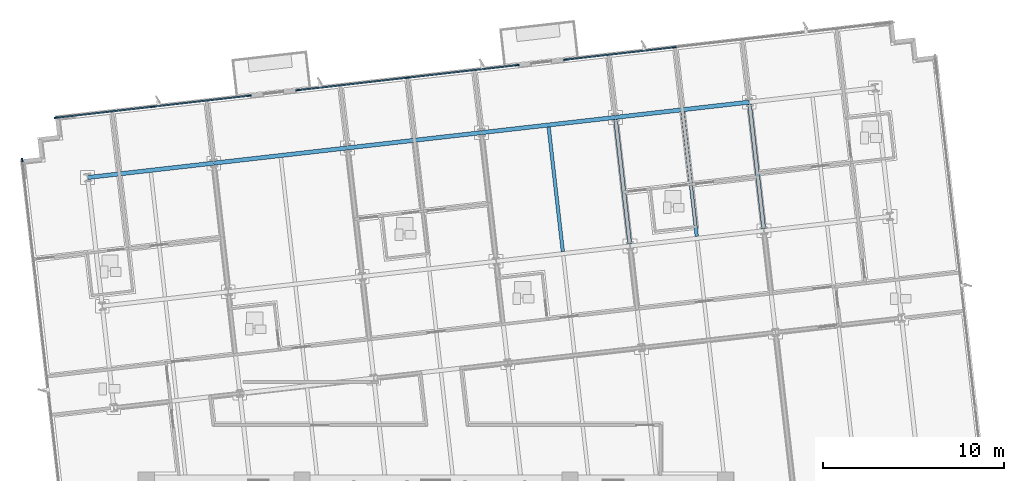
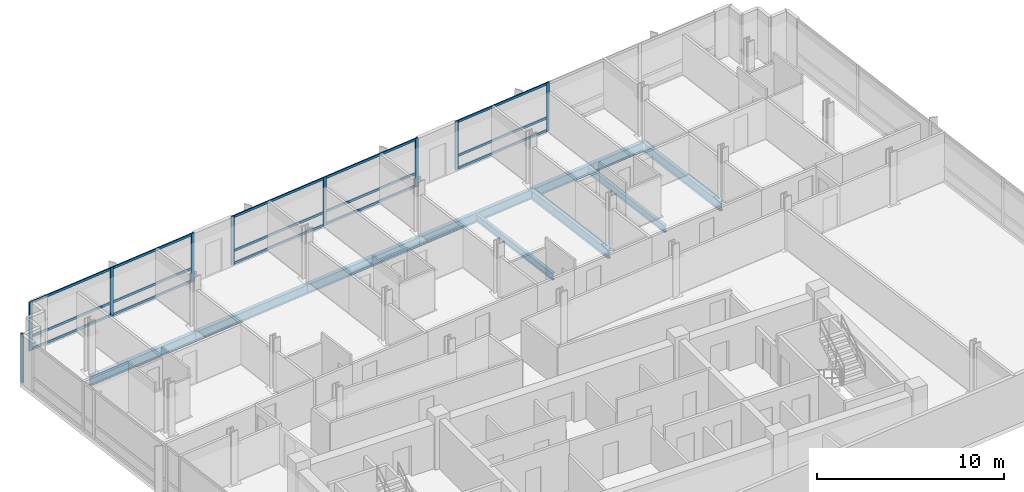
# One storey, part 5 of 17: 24 members, 9 beams, 4 elements without a shape of their own.
"""IFC4 building model written with IfcOpenShell, lengths in metres."""

from ifc_helpers import new_model, si_unit, direction, frame, origin, origin_2d, place, context, subcontext, project, spatial, rectangle, i_section, extrude, material, material_profile, profile_set, type_object, element, aggregate, save


model = new_model("IFC4")

# Units and contexts
model_context = context("Model", 3, precision=1e-05, world=origin(), true_north=direction((0.0, 1.0)))
body_context = subcontext(model_context, "Body", "Model", "MODEL_VIEW")
ifc_project = project(units=[si_unit("LENGTHUNIT", "METRE"), si_unit("AREAUNIT", "SQUARE_METRE"), si_unit("VOLUMEUNIT", "CUBIC_METRE"), si_unit("PLANEANGLEUNIT", "RADIAN"), si_unit("MASSUNIT", "GRAM", prefix="KILO")], contexts=[model_context])

# Site, building, storey
site_placement = place(None, origin())
site = spatial("IfcSite", under=ifc_project, at=site_placement, CompositionType="ELEMENT")
building_placement = place(site_placement, origin())
building = spatial("IfcBuilding", under=site, at=building_placement, Name="Solmavex Isthmus Hotel", CompositionType="ELEMENT")
storey_placement = place(building_placement, frame((0.0, 0.0, 195.14990234375)))
storey = spatial("IfcBuildingStorey", under=building, at=storey_placement, Name="L52", CompositionType="ELEMENT", Elevation=195.14990234375)

# Beams
ifc_material_1 = material(Name="Steel ASTM A992 Grade 50", Category="steel")
ifc_material_profile_1 = material_profile(ifc_material_1, i_section(OverallWidth=0.1904296875, OverallDepth=0.456787109375, WebThickness=0.009033203125, FlangeThickness=0.014404296875, FilletRadius=0.0126953125, at=origin_2d()), Name="W18X50")
ifc_profile_set_1 = profile_set([ifc_material_profile_1], Name="Steel ASTM A992 Grade 50")
beam_type_1 = type_object("IfcBeamType", Name="BM-BJ-W18X50", PredefinedType="JOIST", material=ifc_profile_set_1)
for number, where, z_axis, x_axis, name in (
    (1, (7.009033203125, 10.1328125, -0.48828125), (-0.113202453846, 0.993571942258, 0.0), (-0.993571942258, -0.113202453846, 0.0), "Secondary Floor Joist L52-J14"),
    (2, (14.4072265625, 10.975830078125, -0.48828125), (-0.113202453846, 0.993571942258, 0.0), (-0.993571942258, -0.113202453846, 0.0), "Secondary Floor Joist L52-J18"),
):
    element("IfcBeam", number, at=place(storey_placement, frame(where, z_axis=z_axis, x_axis=x_axis)), inside=storey, type_object=beam_type_1, Name=name, PredefinedType="JOIST", context=body_context, shape_type="SweptSolid", body=[
        extrude(i_section(OverallWidth=0.1904296875, OverallDepth=0.456787109375, WebThickness=0.009033203125, FlangeThickness=0.014404296875, FilletRadius=0.0126953125, at=origin_2d()), origin(), (0.0, 0.0, 1.0), 6.9228515625),
    ])
ifc_material_profile_2 = material_profile(ifc_material_1, i_section(OverallWidth=0.227783203125, OverallDepth=0.602783203125, WebThickness=0.010498046875, FlangeThickness=0.014892578125, FilletRadius=0.01513671875, at=origin_2d()), Name="W24X68")
ifc_profile_set_2 = profile_set([ifc_material_profile_2], Name="Steel ASTM A992 Grade 50")
beam_type_2 = type_object("IfcBeamType", Name="BM-BM-W24X68", PredefinedType="BEAM", material=ifc_profile_set_2)
for number, where, z_axis, x_axis, name in (
    (3, (10.708251953125, 10.55419921875, -0.561279296875), (-0.113202453846, 0.993571942258, 0.0), (-0.993571942258, -0.113202453846, 0.0), "Floor Beam L52-VG39"),
    (4, (18.106201171875, 11.397216796875, -0.561279296875), (-0.113202453846, 0.993571942258, 0.0), (-0.993571942258, -0.113202453846, 0.0), "Floor Beam L52-VG42"),
):
    element("IfcBeam", number, at=place(storey_placement, frame(where, z_axis=z_axis, x_axis=x_axis)), inside=storey, type_object=beam_type_2, Name=name, PredefinedType="BEAM", context=body_context, shape_type="SweptSolid", body=[
        extrude(i_section(OverallWidth=0.227783203125, OverallDepth=0.602783203125, WebThickness=0.010498046875, FlangeThickness=0.014892578125, FilletRadius=0.01513671875, at=origin_2d()), origin(), (0.0, 0.0, 1.0), 6.9228515625),
    ])
ifc_material_profile_3 = material_profile(ifc_material_1, i_section(OverallWidth=0.230224609375, OverallDepth=0.617431640625, WebThickness=0.01318359375, FlangeThickness=0.022216796875, FilletRadius=0.01513671875, at=origin_2d()), Name="W24X94")
ifc_profile_set_3 = profile_set([ifc_material_profile_3], Name="Steel ASTM A992 Grade 50")
beam_type_3 = type_object("IfcBeamType", Name="BM-SP-W24X94", PredefinedType="SPANDREL", material=ifc_profile_set_3)
beam_1_placement = place(storey_placement, frame((-19.245849609375, 14.22509765625, -0.568603515625), z_axis=(0.99357359356, 0.113187959519, 0.0), x_axis=(-0.113187959519, 0.99357359356, 0.0)))
element("IfcBeam", 5, at=beam_1_placement, inside=storey, type_object=beam_type_3, Name="Floor Girder L52-UG18", PredefinedType="SPANDREL", context=body_context, shape_type="SweptSolid", body=[
    extrude(i_section(OverallWidth=0.230224609375, OverallDepth=0.617431640625, WebThickness=0.01318359375, FlangeThickness=0.022216796875, FilletRadius=0.01513671875, at=origin_2d()), origin(), (0.0, 0.0, 1.0), 7.0078125),
])
beam_2_placement = place(storey_placement, frame((-12.282958984375, 15.018310546875, -0.568603515625), z_axis=(0.9935703463, 0.113216460607, 0.0), x_axis=(-0.113216460607, 0.9935703463, 0.0)))
element("IfcBeam", 6, at=beam_2_placement, inside=storey, type_object=beam_type_3, Name="Floor Girder L52-UG19", PredefinedType="SPANDREL", context=body_context, shape_type="SweptSolid", body=[
    extrude(i_section(OverallWidth=0.230224609375, OverallDepth=0.617431640625, WebThickness=0.01318359375, FlangeThickness=0.022216796875, FilletRadius=0.01513671875, at=origin_2d()), origin(), (0.0, 0.0, 1.0), 7.446044921875),
])
beam_3_placement = place(storey_placement, frame((-4.884765625, 15.861328125, -0.568603515625), z_axis=(0.993573613989, 0.113187780196, 0.0), x_axis=(-0.113187780196, 0.993573613989, 0.0)))
element("IfcBeam", 7, at=beam_3_placement, inside=storey, type_object=beam_type_3, Name="Floor Girder L52-UG20", PredefinedType="SPANDREL", context=body_context, shape_type="SweptSolid", body=[
    extrude(i_section(OverallWidth=0.230224609375, OverallDepth=0.617431640625, WebThickness=0.01318359375, FlangeThickness=0.022216796875, FilletRadius=0.01513671875, at=origin_2d()), origin(), (0.0, 0.0, 1.0), 7.44580078125),
])
for number, where, z_axis, x_axis, name in (
    (8, (2.51318359375, 16.7041015625, -0.568603515625), (0.9935703463, 0.113216460607, 0.0), (-0.113216460607, 0.9935703463, 0.0), "Floor Girder L52-UG21"),
    (9, (9.911376953125, 17.547119140625, -0.568603515625), (0.9935703463, 0.113216460607, 0.0), (-0.113216460607, 0.9935703463, 0.0), "Floor Girder L52-UG22"),
):
    element("IfcBeam", number, at=place(storey_placement, frame(where, z_axis=z_axis, x_axis=x_axis)), inside=storey, type_object=beam_type_3, Name=name, PredefinedType="SPANDREL", context=body_context, shape_type="SweptSolid", body=[
        extrude(i_section(OverallWidth=0.230224609375, OverallDepth=0.617431640625, WebThickness=0.01318359375, FlangeThickness=0.022216796875, FilletRadius=0.01513671875, at=origin_2d()), origin(), (0.0, 0.0, 1.0), 7.446044921875),
    ])

# Curtain wall, members
ifc_material_2 = material(Name="Aluminium alloy 6063-T6", Category="aluminium")
curtain_wall_type = type_object("IfcCurtainWallType", Name="CW-SYS-04", PredefinedType="NOTDEFINED", material=ifc_material_2)
curtain_wall_1_placement = place(storey_placement, origin())
curtain_wall_1 = element("IfcCurtainWall", 10, at=curtain_wall_1_placement, inside=storey, type_object=curtain_wall_type, Name="Stick Curtain Wall CWL-L52-N1", PredefinedType="NOTDEFINED")
ifc_material_profile_4 = material_profile(ifc_material_2, rectangle(XDim=0.074951171875, YDim=0.199951171875, at=origin_2d()), Name="CWM-75X200")
ifc_profile_set_4 = profile_set([ifc_material_profile_4], Name="Aluminium alloy 6063-T6")
member_type_1 = type_object("IfcMemberType", Name="CW-SYS-04-MUL", PredefinedType="MULLION", material=ifc_profile_set_4)
member_1_placement = place(storey_placement, frame((-20.99365234375, 17.528564453125, 0.0), z_axis=(0.0, 0.0, 1.0), x_axis=(-0.113202814871, 0.993571901125, 0.0)))
member_1 = element("IfcMember", 11, at=member_1_placement, type_object=member_type_1, Name="CW-04 mullion 1", PredefinedType="MULLION", context=body_context, shape_type="SweptSolid", body=[
    extrude(rectangle(XDim=0.074951171875, YDim=0.199951171875, at=origin_2d()), origin(), (0.0, 0.0, 1.0), 3.190185546875),
])
member_2_placement = place(storey_placement, frame((-15.650146484375, 18.13720703125, 0.0), z_axis=(0.0, 0.0, 1.0), x_axis=(-0.113202814871, 0.993571901125, 0.0)))
member_2 = element("IfcMember", 12, at=member_2_placement, type_object=member_type_1, Name="CW-04 mullion 2", PredefinedType="MULLION", context=body_context, shape_type="SweptSolid", body=[
    extrude(rectangle(XDim=0.074951171875, YDim=0.199951171875, at=origin_2d()), origin(), (0.0, 0.0, 1.0), 3.190185546875),
])
member_3_placement = place(storey_placement, frame((-10.306884765625, 18.74609375, 0.0), z_axis=(0.0, 0.0, 1.0), x_axis=(-0.113202814871, 0.993571901125, 0.0)))
member_3 = element("IfcMember", 13, at=member_3_placement, type_object=member_type_1, Name="CW-04 mullion 3", PredefinedType="MULLION", context=body_context, shape_type="SweptSolid", body=[
    extrude(rectangle(XDim=0.074951171875, YDim=0.199951171875, at=origin_2d()), origin(), (0.0, 0.0, 1.0), 3.190185546875),
])

curtain_wall_2_placement = place(storey_placement, origin())
curtain_wall_2 = element("IfcCurtainWall", 14, at=curtain_wall_2_placement, inside=storey, type_object=curtain_wall_type, Name="Stick Curtain Wall CWL-L52-N2", PredefinedType="NOTDEFINED")
member_4_placement = place(storey_placement, frame((-7.64892578125, 19.048828125, 0.0), z_axis=(0.0, 0.0, 1.0), x_axis=(-0.113202856801, 0.993571896348, 0.0)))
member_4 = element("IfcMember", 15, at=member_4_placement, type_object=member_type_1, Name="CW-04 mullion 1", PredefinedType="MULLION", context=body_context, shape_type="SweptSolid", body=[
    extrude(rectangle(XDim=0.074951171875, YDim=0.199951171875, at=origin_2d()), origin(), (0.0, 0.0, 1.0), 3.190185546875),
])
member_5_placement = place(storey_placement, frame((-1.579833984375, 19.740478515625, 0.0), z_axis=(0.0, 0.0, 1.0), x_axis=(-0.113202856801, 0.993571896348, 0.0)))
member_5 = element("IfcMember", 16, at=member_5_placement, type_object=member_type_1, Name="CW-04 mullion 2", PredefinedType="MULLION", context=body_context, shape_type="SweptSolid", body=[
    extrude(rectangle(XDim=0.074951171875, YDim=0.199951171875, at=origin_2d()), origin(), (0.0, 0.0, 1.0), 3.190185546875),
])
member_6_placement = place(storey_placement, frame((4.489501953125, 20.431884765625, 0.0), z_axis=(0.0, 0.0, 1.0), x_axis=(-0.113202856801, 0.993571896348, 0.0)))
member_6 = element("IfcMember", 17, at=member_6_placement, type_object=member_type_1, Name="CW-04 mullion 3", PredefinedType="MULLION", context=body_context, shape_type="SweptSolid", body=[
    extrude(rectangle(XDim=0.074951171875, YDim=0.199951171875, at=origin_2d()), origin(), (0.0, 0.0, 1.0), 3.190185546875),
])

curtain_wall_3_placement = place(storey_placement, origin())
curtain_wall_3 = element("IfcCurtainWall", 18, at=curtain_wall_3_placement, inside=storey, type_object=curtain_wall_type, Name="Stick Curtain Wall CWL-L52-N3", PredefinedType="NOTDEFINED")
member_7_placement = place(storey_placement, frame((7.147216796875, 20.734619140625, 0.0), z_axis=(0.0, 0.0, 1.0), x_axis=(-0.113203493636, 0.99357182379, 0.0)))
member_7 = element("IfcMember", 19, at=member_7_placement, type_object=member_type_1, Name="CW-04 mullion 1", PredefinedType="MULLION", context=body_context, shape_type="SweptSolid", body=[
    extrude(rectangle(XDim=0.074951171875, YDim=0.199951171875, at=origin_2d()), origin(), (0.0, 0.0, 1.0), 3.190185546875),
])
member_8_placement = place(storey_placement, frame((13.163330078125, 21.420166015625, 0.0), z_axis=(0.0, 0.0, 1.0), x_axis=(-0.113203493636, 0.99357182379, 0.0)))
member_8 = element("IfcMember", 20, at=member_8_placement, type_object=member_type_1, Name="CW-04 mullion 2", PredefinedType="MULLION", context=body_context, shape_type="SweptSolid", body=[
    extrude(rectangle(XDim=0.074951171875, YDim=0.199951171875, at=origin_2d()), origin(), (0.0, 0.0, 1.0), 3.190185546875),
])

# Curtain wall, member
curtain_wall_4_placement = place(storey_placement, origin())
curtain_wall_4 = element("IfcCurtainWall", 21, at=curtain_wall_4_placement, inside=storey, type_object=curtain_wall_type, Name="Stick Curtain Wall CWL-L52-W1", PredefinedType="NOTDEFINED")
member_9_placement = place(storey_placement, frame((-22.85791015625, 15.184814453125, 0.0), z_axis=(0.0, 0.0, 1.0), x_axis=(-0.993571836648, -0.11320338078, 0.0)))
member_9 = element("IfcMember", 22, at=member_9_placement, type_object=member_type_1, Name="CW-04 mullion 6", PredefinedType="MULLION", context=body_context, shape_type="SweptSolid", body=[
    extrude(rectangle(XDim=0.074951171875, YDim=0.199951171875, at=origin_2d()), origin(), (0.0, 0.0, 1.0), 3.190185546875),
])
aggregate(curtain_wall_4, [member_9])

# Member
ifc_material_profile_5 = material_profile(ifc_material_2, rectangle(XDim=0.074951171875, YDim=0.14990234375, at=origin_2d()), Name="CWT-75X150")
ifc_profile_set_5 = profile_set([ifc_material_profile_5], Name="Aluminium alloy 6063-T6")
member_type_2 = type_object("IfcMemberType", Name="CW-SYS-04-TRN", PredefinedType="USERDEFINED", material=ifc_profile_set_5)
member_10_placement = place(storey_placement, frame((-20.956298828125, 17.53271484375, 0.0751953125), z_axis=(0.993571049718, 0.113210287348, 0.0), x_axis=(-0.113210287348, 0.993571049718, 0.0)))
member_10 = element("IfcMember", 23, at=member_10_placement, type_object=member_type_2, Name="CW-04 transom 1.1", ObjectType="TRANSOM", PredefinedType="USERDEFINED", context=body_context, shape_type="SweptSolid", body=[
    extrude(rectangle(XDim=0.074951171875, YDim=0.14990234375, at=origin_2d()), origin(), (0.0, 0.0, 1.0), 5.302978515625),
])

member_11_placement = place(storey_placement, frame((-20.956298828125, 17.53271484375, 0.900146484375), z_axis=(0.993571049718, 0.113210287348, 0.0), x_axis=(-0.113210287348, 0.993571049718, 0.0)))
member_11 = element("IfcMember", 24, at=member_11_placement, type_object=member_type_2, Name="CW-04 transom 1.2", ObjectType="TRANSOM", PredefinedType="USERDEFINED", context=body_context, shape_type="SweptSolid", body=[
    extrude(rectangle(XDim=0.074951171875, YDim=0.14990234375, at=origin_2d()), origin(), (0.0, 0.0, 1.0), 5.302978515625),
])

member_12_placement = place(storey_placement, frame((-20.956298828125, 17.53271484375, 3.114990234375), z_axis=(0.993571049718, 0.113210287348, 0.0), x_axis=(-0.113210287348, 0.993571049718, 0.0)))
member_12 = element("IfcMember", 25, at=member_12_placement, type_object=member_type_2, Name="CW-04 transom 1.3", ObjectType="TRANSOM", PredefinedType="USERDEFINED", context=body_context, shape_type="SweptSolid", body=[
    extrude(rectangle(XDim=0.074951171875, YDim=0.14990234375, at=origin_2d()), origin(), (0.0, 0.0, 1.0), 5.302978515625),
])

member_13_placement = place(storey_placement, frame((-15.613037109375, 18.1416015625, 0.0751953125), z_axis=(0.993571639742, 0.113205108986, 0.0), x_axis=(-0.113205108986, 0.993571639742, 0.0)))
member_13 = element("IfcMember", 26, at=member_13_placement, type_object=member_type_2, Name="CW-04 transom 2.1", ObjectType="TRANSOM", PredefinedType="USERDEFINED", context=body_context, shape_type="SweptSolid", body=[
    extrude(rectangle(XDim=0.074951171875, YDim=0.14990234375, at=origin_2d()), origin(), (0.0, 0.0, 1.0), 5.30322265625),
])

member_14_placement = place(storey_placement, frame((-15.613037109375, 18.1416015625, 0.900146484375), z_axis=(0.993571639742, 0.113205108986, 0.0), x_axis=(-0.113205108986, 0.993571639742, 0.0)))
member_14 = element("IfcMember", 27, at=member_14_placement, type_object=member_type_2, Name="CW-04 transom 2.2", ObjectType="TRANSOM", PredefinedType="USERDEFINED", context=body_context, shape_type="SweptSolid", body=[
    extrude(rectangle(XDim=0.074951171875, YDim=0.14990234375, at=origin_2d()), origin(), (0.0, 0.0, 1.0), 5.30322265625),
])

member_15_placement = place(storey_placement, frame((-15.613037109375, 18.1416015625, 3.114990234375), z_axis=(0.993571639742, 0.113205108986, 0.0), x_axis=(-0.113205108986, 0.993571639742, 0.0)))
member_15 = element("IfcMember", 28, at=member_15_placement, type_object=member_type_2, Name="CW-04 transom 2.3", ObjectType="TRANSOM", PredefinedType="USERDEFINED", context=body_context, shape_type="SweptSolid", body=[
    extrude(rectangle(XDim=0.074951171875, YDim=0.14990234375, at=origin_2d()), origin(), (0.0, 0.0, 1.0), 5.30322265625),
])

aggregate(curtain_wall_1, [member_1, member_2, member_3, member_10, member_11, member_12, member_13, member_14, member_15])

member_16_placement = place(storey_placement, frame((-7.61181640625, 19.05322265625, 0.0751953125), z_axis=(0.993574990392, 0.113175697338, 0.0), x_axis=(-0.113175697338, 0.993574990392, 0.0)))
member_16 = element("IfcMember", 29, at=member_16_placement, type_object=member_type_2, Name="CW-04 transom 1.1", ObjectType="TRANSOM", PredefinedType="USERDEFINED", context=body_context, shape_type="SweptSolid", body=[
    extrude(rectangle(XDim=0.074951171875, YDim=0.14990234375, at=origin_2d()), origin(), (0.0, 0.0, 1.0), 6.03369140625),
])

member_17_placement = place(storey_placement, frame((-7.61181640625, 19.05322265625, 0.900146484375), z_axis=(0.993574990392, 0.113175697338, 0.0), x_axis=(-0.113175697338, 0.993574990392, 0.0)))
member_17 = element("IfcMember", 30, at=member_17_placement, type_object=member_type_2, Name="CW-04 transom 1.2", ObjectType="TRANSOM", PredefinedType="USERDEFINED", context=body_context, shape_type="SweptSolid", body=[
    extrude(rectangle(XDim=0.074951171875, YDim=0.14990234375, at=origin_2d()), origin(), (0.0, 0.0, 1.0), 6.03369140625),
])

member_18_placement = place(storey_placement, frame((-7.61181640625, 19.05322265625, 3.114990234375), z_axis=(0.993574990392, 0.113175697338, 0.0), x_axis=(-0.113175697338, 0.993574990392, 0.0)))
member_18 = element("IfcMember", 31, at=member_18_placement, type_object=member_type_2, Name="CW-04 transom 1.3", ObjectType="TRANSOM", PredefinedType="USERDEFINED", context=body_context, shape_type="SweptSolid", body=[
    extrude(rectangle(XDim=0.074951171875, YDim=0.14990234375, at=origin_2d()), origin(), (0.0, 0.0, 1.0), 6.03369140625),
])

member_19_placement = place(storey_placement, frame((-1.54248046875, 19.74462890625, 0.0751953125), z_axis=(0.993569920899, 0.113220193804, 0.0), x_axis=(-0.113220193804, 0.993569920899, 0.0)))
member_19 = element("IfcMember", 32, at=member_19_placement, type_object=member_type_2, Name="CW-04 transom 2.1", ObjectType="TRANSOM", PredefinedType="USERDEFINED", context=body_context, shape_type="SweptSolid", body=[
    extrude(rectangle(XDim=0.074951171875, YDim=0.14990234375, at=origin_2d()), origin(), (0.0, 0.0, 1.0), 6.033447265625),
])

member_20_placement = place(storey_placement, frame((-1.54248046875, 19.74462890625, 0.900146484375), z_axis=(0.993569920899, 0.113220193804, 0.0), x_axis=(-0.113220193804, 0.993569920899, 0.0)))
member_20 = element("IfcMember", 33, at=member_20_placement, type_object=member_type_2, Name="CW-04 transom 2.2", ObjectType="TRANSOM", PredefinedType="USERDEFINED", context=body_context, shape_type="SweptSolid", body=[
    extrude(rectangle(XDim=0.074951171875, YDim=0.14990234375, at=origin_2d()), origin(), (0.0, 0.0, 1.0), 6.033447265625),
])

member_21_placement = place(storey_placement, frame((-1.54248046875, 19.74462890625, 3.114990234375), z_axis=(0.993569920899, 0.113220193804, 0.0), x_axis=(-0.113220193804, 0.993569920899, 0.0)))
member_21 = element("IfcMember", 34, at=member_21_placement, type_object=member_type_2, Name="CW-04 transom 2.3", ObjectType="TRANSOM", PredefinedType="USERDEFINED", context=body_context, shape_type="SweptSolid", body=[
    extrude(rectangle(XDim=0.074951171875, YDim=0.14990234375, at=origin_2d()), origin(), (0.0, 0.0, 1.0), 6.033447265625),
])

aggregate(curtain_wall_2, [member_4, member_5, member_6, member_16, member_17, member_18, member_19, member_20, member_21])

member_22_placement = place(storey_placement, frame((7.1845703125, 20.739013671875, 0.0751953125), z_axis=(0.993570647741, 0.113213815179, 0.0), x_axis=(-0.113213815179, 0.993570647741, 0.0)))
member_22 = element("IfcMember", 35, at=member_22_placement, type_object=member_type_2, Name="CW-04 transom 1.1", ObjectType="TRANSOM", PredefinedType="USERDEFINED", context=body_context, shape_type="SweptSolid", body=[
    extrude(rectangle(XDim=0.074951171875, YDim=0.14990234375, at=origin_2d()), origin(), (0.0, 0.0, 1.0), 5.979736328125),
])

member_23_placement = place(storey_placement, frame((7.1845703125, 20.739013671875, 0.900146484375), z_axis=(0.993570647741, 0.113213815179, 0.0), x_axis=(-0.113213815179, 0.993570647741, 0.0)))
member_23 = element("IfcMember", 36, at=member_23_placement, type_object=member_type_2, Name="CW-04 transom 1.2", ObjectType="TRANSOM", PredefinedType="USERDEFINED", context=body_context, shape_type="SweptSolid", body=[
    extrude(rectangle(XDim=0.074951171875, YDim=0.14990234375, at=origin_2d()), origin(), (0.0, 0.0, 1.0), 5.979736328125),
])

member_24_placement = place(storey_placement, frame((7.1845703125, 20.739013671875, 3.114990234375), z_axis=(0.993570647741, 0.113213815179, 0.0), x_axis=(-0.113213815179, 0.993570647741, 0.0)))
member_24 = element("IfcMember", 37, at=member_24_placement, type_object=member_type_2, Name="CW-04 transom 1.3", ObjectType="TRANSOM", PredefinedType="USERDEFINED", context=body_context, shape_type="SweptSolid", body=[
    extrude(rectangle(XDim=0.074951171875, YDim=0.14990234375, at=origin_2d()), origin(), (0.0, 0.0, 1.0), 5.979736328125),
])

aggregate(curtain_wall_3, [member_7, member_8, member_22, member_23, member_24])

save(model, "model.ifc")
